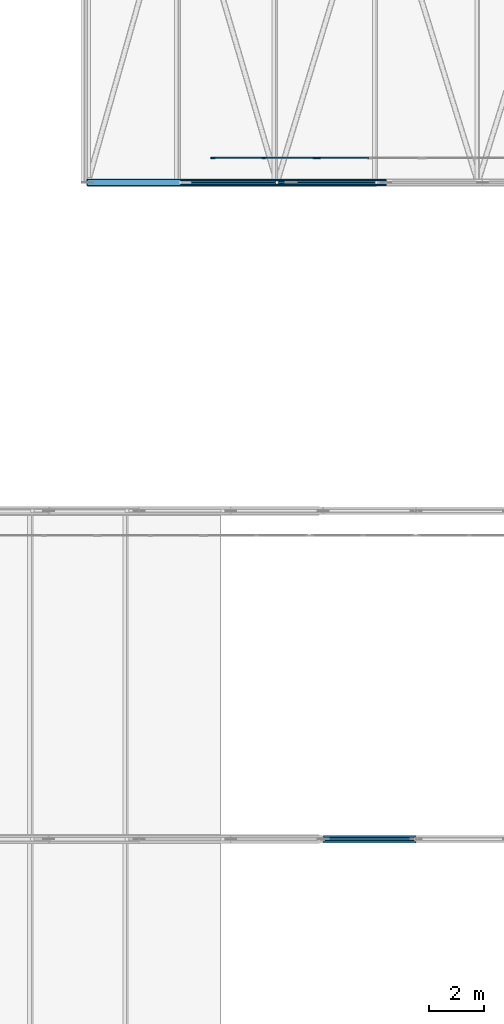
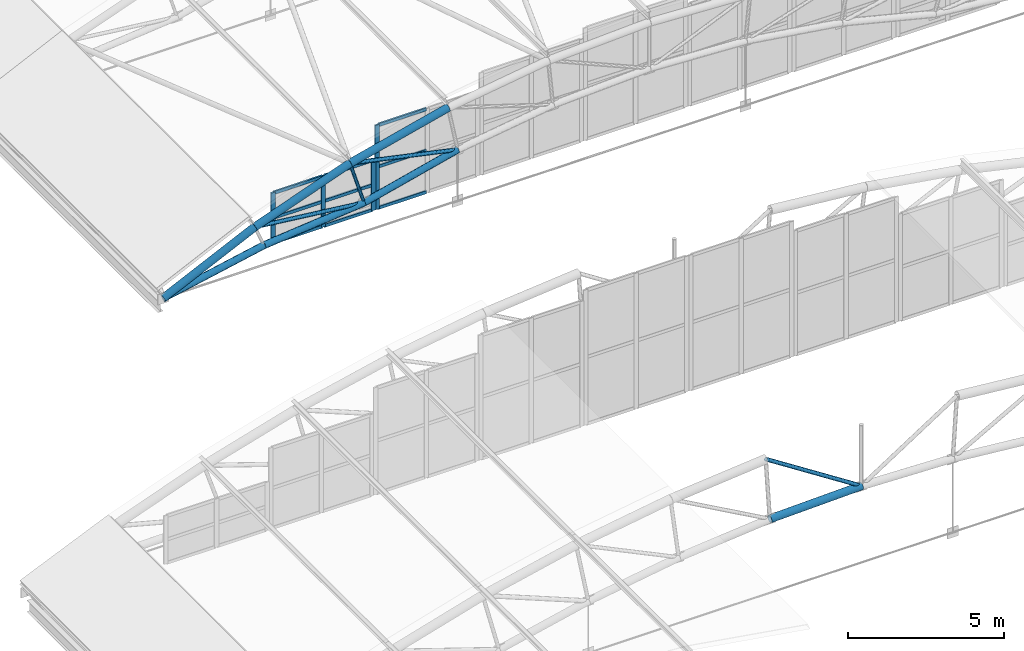
# One storey, part 136 of 321: 24 members, 2 elements without a shape of their own.
"""IFC4 building model written with IfcOpenShell, lengths in metres."""

from ifc_helpers import new_model, si_unit, direction, frame, origin, origin_2d, place, context, subcontext, project, spatial, rectangle, hollow_circle, extrude, material, layer, layer_set, material_profile, profile_set, type_object, element, aggregate, save


model = new_model("IFC4")

# Units and contexts
model_context = context("Model", 3, precision=1e-05, world=origin(), true_north=direction((0.0, 1.0)))
body_context = subcontext(model_context, "Body", "Model", "MODEL_VIEW")
ifc_project = project(units=[si_unit("LENGTHUNIT", "METRE"), si_unit("AREAUNIT", "SQUARE_METRE"), si_unit("VOLUMEUNIT", "CUBIC_METRE"), si_unit("PLANEANGLEUNIT", "RADIAN"), si_unit("MASSUNIT", "GRAM", prefix="KILO")], contexts=[model_context])

# Site, building, storey
site_placement = place(None, origin())
site = spatial("IfcSite", under=ifc_project, at=site_placement, CompositionType="ELEMENT")
building_placement = place(site_placement, origin())
building = spatial("IfcBuilding", under=site, at=building_placement, Name="Ravi Spectrum Wholesale Market", CompositionType="ELEMENT")
storey_placement = place(building_placement, frame((0.0, 0.0, 10.800048828125)))
storey = spatial("IfcBuildingStorey", under=building, at=storey_placement, Name="L02", CompositionType="ELEMENT", Elevation=10.800048828125)

# Members
ifc_material_1 = material(Name="Steel S355", Category="steel")
ifc_material_profile_1 = material_profile(ifc_material_1, hollow_circle(Radius=0.05712890625, WallThickness=0.00390625, at=origin_2d()))
ifc_profile_set_1 = profile_set([ifc_material_profile_1], Name="Steel S355")
member_type_1 = type_object("IfcMemberType", Name="CHS 114.3x4 post", PredefinedType="POST", material=ifc_profile_set_1)
member_1_placement = place(storey_placement, frame((168.916748046875, 138.0, 2.859130859375), z_axis=(0.28969871245, 0.0, -0.957117890338), x_axis=(0.0, 1.0, 0.0)))
element("IfcMember", 1, at=member_1_placement, inside=storey, type_object=member_type_1, Name="H3-MB-L02-022", PredefinedType="POST", context=body_context, shape_type="SweptSolid", body=[
    extrude(hollow_circle(Radius=0.05712890625, WallThickness=0.00390625, at=origin_2d()), origin(), (0.0, 0.0, 1.0), 1.800048828125),
])
ifc_material_2 = material(Name="Steel S355", Category="steel")
ifc_material_profile_2 = material_profile(ifc_material_2, hollow_circle(Radius=0.06982421875, WallThickness=0.0048828125, at=origin_2d()))
ifc_profile_set_2 = profile_set([ifc_material_profile_2], Name="Steel S355")
member_type_2 = type_object("IfcMemberType", Name="CHS 139.7x5 brace", PredefinedType="BRACE", material=ifc_profile_set_2)
member_2_placement = place(storey_placement, frame((170.459228515625, 114.0, 5.2880859375), z_axis=(0.839894736946, 0.0, -0.542749325978), x_axis=(0.0, 1.0, 0.0)))
element("IfcMember", 2, at=member_2_placement, inside=storey, type_object=member_type_2, Name="H2-MB-L02-215", PredefinedType="BRACE", context=body_context, shape_type="SweptSolid", body=[
    extrude(hollow_circle(Radius=0.06982421875, WallThickness=0.0048828125, at=origin_2d()), origin(), (0.0, 0.0, 1.0), 4.2158203125),
])
for number, where, z_axis, x_axis, name in (
    (3, (165.38818359375, 138.0, 1.59912109375), (0.993531900469, 0.0, -0.113553347597), (0.0, 1.0, 0.0), "H3-MB-L02-030"),
    (4, (168.916748046875, 138.0, 2.859130859375), (0.977654929292, 0.0, -0.210216172618), (0.0, 1.0, 0.0), "H3-MB-L02-031"),
):
    element("IfcMember", number, at=place(storey_placement, frame(where, z_axis=z_axis, x_axis=x_axis)), inside=storey, type_object=member_type_2, Name=name, PredefinedType="BRACE", context=body_context, shape_type="SweptSolid", body=[
        extrude(hollow_circle(Radius=0.06982421875, WallThickness=0.0048828125, at=origin_2d()), origin(), (0.0, 0.0, 1.0), 4.076416015625),
    ])
ifc_material_3 = material(Name="Steel S355", Category="steel")
ifc_material_profile_3 = material_profile(ifc_material_3, hollow_circle(Radius=0.122314453125, WallThickness=0.008056640625, at=origin_2d()))
ifc_profile_set_3 = profile_set([ifc_material_profile_3], Name="Steel S355")
member_type_3 = type_object("IfcMemberType", Name="CHS 244.5x8 chord", PredefinedType="CHORD", material=ifc_profile_set_3)
member_3_placement = place(storey_placement, frame((162.0, 138.0, 0.0), z_axis=(0.979511723372, 0.0, 0.201387148987), x_axis=(0.0, 1.0, 0.0)))
element("IfcMember", 5, at=member_3_placement, inside=storey, type_object=member_type_3, Name="H3-MB-L02-011", PredefinedType="CHORD", context=body_context, shape_type="SweptSolid", body=[
    extrude(hollow_circle(Radius=0.122314453125, WallThickness=0.008056640625, at=origin_2d()), origin(), (0.0, 0.0, 1.0), 3.810302734375),
])
member_4_placement = place(storey_placement, frame((165.732177734375, 138.0, 0.767333984375), z_axis=(0.995082518714, 0.0, 0.099049386415), x_axis=(0.0, 1.0, 0.0)))
element("IfcMember", 6, at=member_4_placement, inside=storey, type_object=member_type_3, Name="H3-MB-L02-012", PredefinedType="CHORD", context=body_context, shape_type="SweptSolid", body=[
    extrude(hollow_circle(Radius=0.122314453125, WallThickness=0.008056640625, at=origin_2d()), origin(), (0.0, 0.0, 1.0), 3.724365234375),
])
member_5_placement = place(storey_placement, frame((169.438232421875, 138.0, 1.13623046875), z_axis=(0.970142500145, 0.0, 0.242535625036), x_axis=(0.0, 1.0, 0.0)))
element("IfcMember", 7, at=member_5_placement, inside=storey, type_object=member_type_3, Name="H3-MB-L02-013", PredefinedType="CHORD", context=body_context, shape_type="SweptSolid", body=[
    extrude(hollow_circle(Radius=0.122314453125, WallThickness=0.008056640625, at=origin_2d()), origin(), (0.0, 0.0, 1.0), 3.570556640625),
])
ifc_material_4 = material(Name="Steel S355", Category="steel")
ifc_material_profile_4 = material_profile(ifc_material_4, hollow_circle(Radius=0.136474609375, WallThickness=0.010009765625, at=origin_2d()))
ifc_profile_set_4 = profile_set([ifc_material_profile_4], Name="Steel S355")
member_type_4 = type_object("IfcMemberType", Name="CHS 273x10 chord", PredefinedType="CHORD", material=ifc_profile_set_4)
member_6_placement = place(storey_placement, frame((170.61083984375, 114.0, 2.892822265625), z_axis=(0.999500345993, 0.0, 0.031607884447), x_axis=(0.0, 1.0, 0.0)))
element("IfcMember", 8, at=member_6_placement, inside=storey, type_object=member_type_4, Name="H2-MB-L02-189", PredefinedType="CHORD", context=body_context, shape_type="SweptSolid", body=[
    extrude(hollow_circle(Radius=0.136474609375, WallThickness=0.010009765625, at=origin_2d()), origin(), (0.0, 0.0, 1.0), 3.390869140625),
])
member_7_placement = place(storey_placement, frame((162.0, 138.0, 0.0), z_axis=(0.904336690514, 0.0, 0.426819809978), x_axis=(0.0, 1.0, 0.0)))
element("IfcMember", 9, at=member_7_placement, inside=storey, type_object=member_type_4, Name="H3-MB-L02-001", PredefinedType="CHORD", context=body_context, shape_type="SweptSolid", body=[
    extrude(hollow_circle(Radius=0.136474609375, WallThickness=0.010009765625, at=origin_2d()), origin(), (0.0, 0.0, 1.0), 3.74658203125),
])
member_8_placement = place(storey_placement, frame((165.38818359375, 138.0, 1.59912109375), z_axis=(0.941758126801, 0.0, 0.336290990965), x_axis=(0.0, 1.0, 0.0)))
element("IfcMember", 10, at=member_8_placement, inside=storey, type_object=member_type_4, Name="H3-MB-L02-002", PredefinedType="CHORD", context=body_context, shape_type="SweptSolid", body=[
    extrude(hollow_circle(Radius=0.136474609375, WallThickness=0.010009765625, at=origin_2d()), origin(), (0.0, 0.0, 1.0), 3.746826171875),
])
member_9_placement = place(storey_placement, frame((168.916748046875, 138.0, 2.859130859375), z_axis=(0.970142500145, 0.0, 0.242535625036), x_axis=(0.0, 1.0, 0.0)))
element("IfcMember", 11, at=member_9_placement, inside=storey, type_object=member_type_4, Name="H3-MB-L02-003", PredefinedType="CHORD", context=body_context, shape_type="SweptSolid", body=[
    extrude(hollow_circle(Radius=0.136474609375, WallThickness=0.010009765625, at=origin_2d()), origin(), (0.0, 0.0, 1.0), 3.74658203125),
])

# Curtain wall, members
ifc_material_5 = material(Name="Aluminium 6063-T6", Category="aluminium")
ifc_layer = layer(ifc_material_5, 0.14990234375)
ifc_layer_set = layer_set([ifc_layer], Name="Aluminium 6063-T6")
curtain_wall_type = type_object("IfcCurtainWallType", Name="Curtain wall 150", PredefinedType="NOTDEFINED", material=ifc_layer_set)
curtain_wall_1_placement = place(storey_placement, origin())
curtain_wall_1 = element("IfcCurtainWall", 12, at=curtain_wall_1_placement, inside=storey, type_object=curtain_wall_type, Name="H3-CW-L02-001", PredefinedType="NOTDEFINED")
ifc_material_6 = material(Name="Aluminium 6063-T6", Category="aluminium")
ifc_material_profile_5 = material_profile(ifc_material_6, rectangle(XDim=0.06005859375, YDim=0.159912109375, at=origin_2d()))
ifc_profile_set_5 = profile_set([ifc_material_profile_5], Name="Aluminium 6063-T6")
member_type_5 = type_object("IfcMemberType", Name="Mullion 60 x 160", PredefinedType="MULLION", material=ifc_profile_set_5)
member_10_placement = place(storey_placement, frame((166.58154296875, 138.89990234375, 0.0), z_axis=(0.0, 0.0, 1.0), x_axis=(0.0, 1.0, 0.0)))
member_10 = element("IfcMember", 13, at=member_10_placement, type_object=member_type_5, Name="H3-CW-L02-001 mullion 1", PredefinedType="MULLION", context=body_context, shape_type="SweptSolid", body=[
    extrude(rectangle(XDim=0.06005859375, YDim=0.159912109375, at=origin_2d()), origin(), (0.0, 0.0, 1.0), 2.0),
])
member_11_placement = place(storey_placement, frame((168.4384765625, 138.89990234375, 0.0), z_axis=(0.0, 0.0, 1.0), x_axis=(0.0, 1.0, 0.0)))
member_11 = element("IfcMember", 14, at=member_11_placement, type_object=member_type_5, Name="H3-CW-L02-001 mullion 2", PredefinedType="MULLION", context=body_context, shape_type="SweptSolid", body=[
    extrude(rectangle(XDim=0.06005859375, YDim=0.159912109375, at=origin_2d()), origin(), (0.0, 0.0, 1.0), 2.0),
])
member_12_placement = place(storey_placement, frame((170.29541015625, 138.89990234375, 0.0), z_axis=(0.0, 0.0, 1.0), x_axis=(0.0, 1.0, 0.0)))
member_12 = element("IfcMember", 15, at=member_12_placement, type_object=member_type_5, Name="H3-CW-L02-001 mullion 3", PredefinedType="MULLION", context=body_context, shape_type="SweptSolid", body=[
    extrude(rectangle(XDim=0.06005859375, YDim=0.159912109375, at=origin_2d()), origin(), (0.0, 0.0, 1.0), 2.0),
])

# Curtain wall, member
curtain_wall_2_placement = place(storey_placement, origin())
curtain_wall_2 = element("IfcCurtainWall", 16, at=curtain_wall_2_placement, inside=storey, type_object=curtain_wall_type, Name="H3-CW-L02-002", PredefinedType="NOTDEFINED")
member_13_placement = place(storey_placement, frame((170.435546875, 138.89990234375, 0.0), z_axis=(0.0, 0.0, 1.0), x_axis=(0.0, 1.0, 0.0)))
member_13 = element("IfcMember", 17, at=member_13_placement, type_object=member_type_5, Name="H3-CW-L02-002 mullion 1", PredefinedType="MULLION", context=body_context, shape_type="SweptSolid", body=[
    extrude(rectangle(XDim=0.06005859375, YDim=0.159912109375, at=origin_2d()), origin(), (0.0, 0.0, 1.0), 3.300048828125),
])

# Member
ifc_material_7 = material(Name="Aluminium 6063-T6", Category="aluminium")
ifc_material_profile_6 = material_profile(ifc_material_7, rectangle(XDim=0.06005859375, YDim=0.1201171875, at=origin_2d()))
ifc_profile_set_6 = profile_set([ifc_material_profile_6], Name="Aluminium 6063-T6")
member_type_6 = type_object("IfcMemberType", Name="Transom 60 x 120", PredefinedType="USERDEFINED", material=ifc_profile_set_6)
member_14_placement = place(storey_placement, frame((166.611572265625, 138.89990234375, 0.030029296875), z_axis=(1.0, 0.0, 0.0), x_axis=(0.0, 1.0, 0.0)))
member_14 = element("IfcMember", 18, at=member_14_placement, type_object=member_type_6, Name="H3-CW-L02-001 transom 1.1", ObjectType="TRANSOM", PredefinedType="USERDEFINED", context=body_context, shape_type="SweptSolid", body=[
    extrude(rectangle(XDim=0.06005859375, YDim=0.1201171875, at=origin_2d()), origin(), (0.0, 0.0, 1.0), 1.796875),
])

member_15_placement = place(storey_placement, frame((166.611572265625, 138.89990234375, 1.0), z_axis=(1.0, 0.0, 0.0), x_axis=(0.0, 1.0, 0.0)))
member_15 = element("IfcMember", 19, at=member_15_placement, type_object=member_type_6, Name="H3-CW-L02-001 transom 1.2", ObjectType="TRANSOM", PredefinedType="USERDEFINED", context=body_context, shape_type="SweptSolid", body=[
    extrude(rectangle(XDim=0.06005859375, YDim=0.1201171875, at=origin_2d()), origin(), (0.0, 0.0, 1.0), 1.796875),
])

member_16_placement = place(storey_placement, frame((166.611572265625, 138.89990234375, 1.969970703125), z_axis=(1.0, 0.0, 0.0), x_axis=(0.0, 1.0, 0.0)))
member_16 = element("IfcMember", 20, at=member_16_placement, type_object=member_type_6, Name="H3-CW-L02-001 transom 1.3", ObjectType="TRANSOM", PredefinedType="USERDEFINED", context=body_context, shape_type="SweptSolid", body=[
    extrude(rectangle(XDim=0.06005859375, YDim=0.1201171875, at=origin_2d()), origin(), (0.0, 0.0, 1.0), 1.796875),
])

member_17_placement = place(storey_placement, frame((168.468505859375, 138.89990234375, 0.030029296875), z_axis=(1.0, 0.0, 0.0), x_axis=(0.0, 1.0, 0.0)))
member_17 = element("IfcMember", 21, at=member_17_placement, type_object=member_type_6, Name="H3-CW-L02-001 transom 2.1", ObjectType="TRANSOM", PredefinedType="USERDEFINED", context=body_context, shape_type="SweptSolid", body=[
    extrude(rectangle(XDim=0.06005859375, YDim=0.1201171875, at=origin_2d()), origin(), (0.0, 0.0, 1.0), 1.796875),
])

member_18_placement = place(storey_placement, frame((168.468505859375, 138.89990234375, 1.0), z_axis=(1.0, 0.0, 0.0), x_axis=(0.0, 1.0, 0.0)))
member_18 = element("IfcMember", 22, at=member_18_placement, type_object=member_type_6, Name="H3-CW-L02-001 transom 2.2", ObjectType="TRANSOM", PredefinedType="USERDEFINED", context=body_context, shape_type="SweptSolid", body=[
    extrude(rectangle(XDim=0.06005859375, YDim=0.1201171875, at=origin_2d()), origin(), (0.0, 0.0, 1.0), 1.796875),
])

member_19_placement = place(storey_placement, frame((168.468505859375, 138.89990234375, 1.969970703125), z_axis=(1.0, 0.0, 0.0), x_axis=(0.0, 1.0, 0.0)))
member_19 = element("IfcMember", 23, at=member_19_placement, type_object=member_type_6, Name="H3-CW-L02-001 transom 2.3", ObjectType="TRANSOM", PredefinedType="USERDEFINED", context=body_context, shape_type="SweptSolid", body=[
    extrude(rectangle(XDim=0.06005859375, YDim=0.1201171875, at=origin_2d()), origin(), (0.0, 0.0, 1.0), 1.796875),
])

aggregate(curtain_wall_1, [member_10, member_11, member_12, member_14, member_15, member_16, member_17, member_18, member_19])

member_20_placement = place(storey_placement, frame((170.46533203125, 138.89990234375, 0.030029296875), z_axis=(1.0, 0.0, 0.0), x_axis=(0.0, 1.0, 0.0)))
member_20 = element("IfcMember", 24, at=member_20_placement, type_object=member_type_6, Name="H3-CW-L02-002 transom 1.1", ObjectType="TRANSOM", PredefinedType="USERDEFINED", context=body_context, shape_type="SweptSolid", body=[
    extrude(rectangle(XDim=0.06005859375, YDim=0.1201171875, at=origin_2d()), origin(), (0.0, 0.0, 1.0), 1.797119140625),
])

member_21_placement = place(storey_placement, frame((170.46533203125, 138.89990234375, 1.64990234375), z_axis=(1.0, 0.0, 0.0), x_axis=(0.0, 1.0, 0.0)))
member_21 = element("IfcMember", 25, at=member_21_placement, type_object=member_type_6, Name="H3-CW-L02-002 transom 1.2", ObjectType="TRANSOM", PredefinedType="USERDEFINED", context=body_context, shape_type="SweptSolid", body=[
    extrude(rectangle(XDim=0.06005859375, YDim=0.1201171875, at=origin_2d()), origin(), (0.0, 0.0, 1.0), 1.797119140625),
])

member_22_placement = place(storey_placement, frame((170.46533203125, 138.89990234375, 3.27001953125), z_axis=(1.0, 0.0, 0.0), x_axis=(0.0, 1.0, 0.0)))
member_22 = element("IfcMember", 26, at=member_22_placement, type_object=member_type_6, Name="H3-CW-L02-002 transom 1.3", ObjectType="TRANSOM", PredefinedType="USERDEFINED", context=body_context, shape_type="SweptSolid", body=[
    extrude(rectangle(XDim=0.06005859375, YDim=0.1201171875, at=origin_2d()), origin(), (0.0, 0.0, 1.0), 1.797119140625),
])

aggregate(curtain_wall_2, [member_13, member_20, member_21, member_22])

save(model, "model.ifc")
